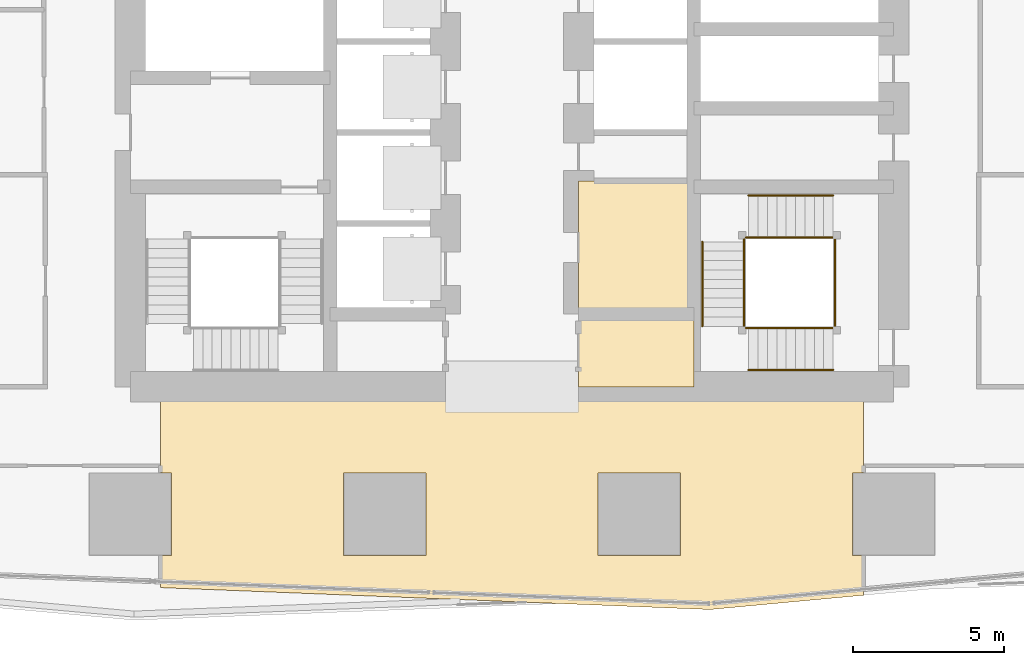
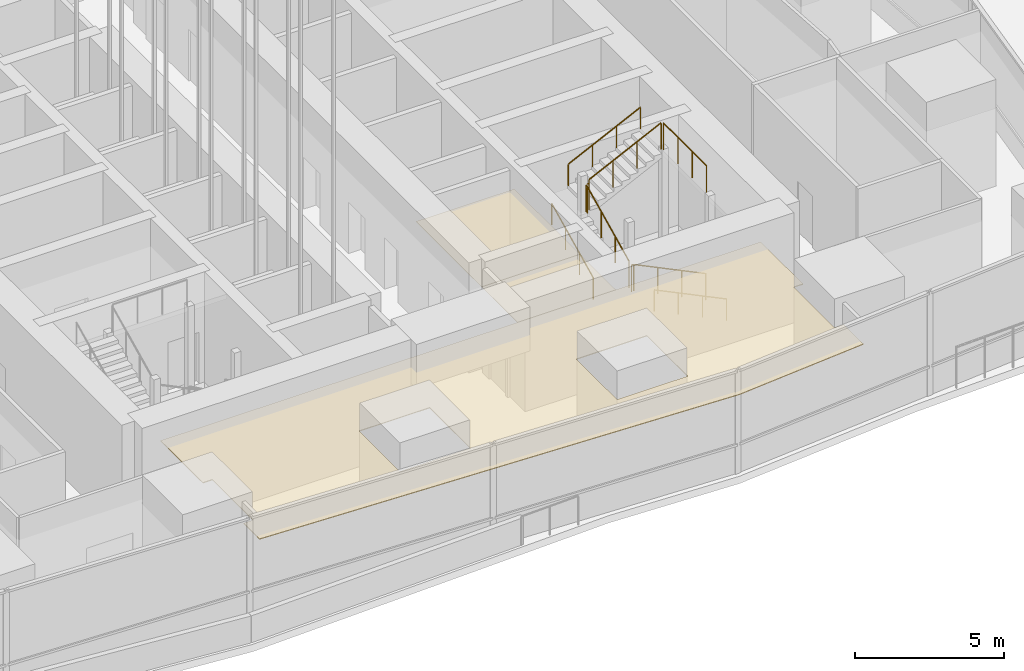
# One storey, part 23 of 39: 10 railings, 3 coverings.
"""IFC4 building model written with IfcOpenShell, lengths in metres."""

import ifcopenshell
import ifcopenshell.guid

model = None  # the IFC model being written
_history = None  # IfcOwnerHistory: only IFC2X3 demands one
_inside = {}  # id of a spatial element -> (the spatial element, [elements in it])
_under = {}  # id of a project, library or spatial element -> (it, [spatial elements below it])
_declared = {}  # id of a project -> (the project, [libraries it declares])
_typed = {}  # id of a type object -> (the type object, [elements of that type])
_made_of = {}  # id of a material, layer set ... -> (it, [elements and type objects made of it])


def new_model(schema):
    """Start an empty IFC model of exactly this schema.

    Asked for "IFC4X3", IfcOpenShell would pick the latest addendum, in which some entities
    have other attributes; the version numbers below select the first issue.
    IFC2X3 requires an IfcOwnerHistory on every rooted entity: one is made here for all.
    """
    global model, _history
    if schema == "IFC4X3":
        model = ifcopenshell.file(schema_version=(4, 3, 0, 0))
    else:
        model = ifcopenshell.file(schema=schema)
    _inside.clear()
    _under.clear()
    _declared.clear()
    _typed.clear()
    _made_of.clear()
    _history = None
    if model.schema == "IFC2X3":
        org = make("IfcOrganization", Name="unknown")
        user = make(
            "IfcPersonAndOrganization",
            ThePerson=make("IfcPerson", FamilyName="unknown"),
            TheOrganization=org,
        )
        app = make(
            "IfcApplication",
            ApplicationDeveloper=org,
            Version="unknown",
            ApplicationFullName="unknown",
            ApplicationIdentifier="unknown",
        )
        _history = make(
            "IfcOwnerHistory",
            OwningUser=user,
            OwningApplication=app,
            ChangeAction="ADDED",
            CreationDate=0,
        )
    return model


def make(cls, **values):
    """One entity of the class cls with the attributes given. An attribute that is None is left unset."""
    return model.create_entity(
        cls, **{name: value for name, value in values.items() if value is not None}
    )


def rooted(cls, **values):
    """An entity with a GlobalId (a new one), such as an element, a storey or a relation."""
    return make(cls, GlobalId=ifcopenshell.guid.new(), OwnerHistory=_history, **values)


def si_unit(unit_type, name, prefix=None):
    """IfcSIUnit, for example si_unit("LENGTHUNIT", "METRE", prefix="MILLI")."""
    return make("IfcSIUnit", UnitType=unit_type, Prefix=prefix, Name=name)


def assignment(units):
    """IfcUnitAssignment: the units of a project."""
    return None if units is None else make("IfcUnitAssignment", Units=units)


def point(xyz):
    """IfcCartesianPoint."""
    return None if xyz is None else make("IfcCartesianPoint", Coordinates=xyz)


def direction(xyz):
    """IfcDirection."""
    return None if xyz is None else make("IfcDirection", DirectionRatios=xyz)


def frame(location, z_axis=None, x_axis=None):
    """IfcAxis2Placement3D, a coordinate frame: its origin and axes. An axis left out is left unset."""
    return make(
        "IfcAxis2Placement3D",
        Location=point(location),
        Axis=direction(z_axis),
        RefDirection=direction(x_axis),
    )


def frame_2d(location, x_axis=None):
    """IfcAxis2Placement2D, a coordinate frame in the plane: its origin and x axis."""
    return make(
        "IfcAxis2Placement2D", Location=point(location), RefDirection=direction(x_axis)
    )


def origin():
    """The frame at (0, 0, 0) with its axes left unset."""
    return frame((0.0, 0.0, 0.0))


def origin_2d():
    """The frame at (0, 0) in the plane with its x axis left unset."""
    return frame_2d((0.0, 0.0))


def place(relative_to, where):
    """IfcLocalPlacement: puts the frame where relative to a parent placement (None: the world)."""
    return make(
        "IfcLocalPlacement", PlacementRelTo=relative_to, RelativePlacement=where
    )


def context(
    kind, dimensions, precision=None, world=None, true_north=None, identifier=None
):
    """IfcGeometricRepresentationContext, for example the 3D "Model" context."""
    return make(
        "IfcGeometricRepresentationContext",
        ContextIdentifier=identifier,
        ContextType=kind,
        CoordinateSpaceDimension=dimensions,
        Precision=precision,
        WorldCoordinateSystem=world,
        TrueNorth=true_north,
    )


def subcontext(parent, identifier, kind, view, scale=None):
    """IfcGeometricRepresentationSubContext, for example "Body" below "Model"."""
    return make(
        "IfcGeometricRepresentationSubContext",
        ContextIdentifier=identifier,
        ContextType=kind,
        ParentContext=parent,
        TargetScale=scale,
        TargetView=view,
    )


def project(units=None, contexts=None):
    """IfcProject with its units and contexts."""
    return rooted(
        "IfcProject",
        Name="project",
        RepresentationContexts=contexts,
        UnitsInContext=assignment(units),
    )


def spatial(cls, under=None, at=None, **own):
    """A site, building, storey or space (cls), placed at a placement, below another one or the project."""
    s = rooted(cls, ObjectPlacement=at, **own)
    if under is not None:
        _under.setdefault(under.id(), (under, []))[1].append(s)
    return s


def polyline(points):
    """IfcPolyline through the points."""
    return make("IfcPolyline", Points=[point(p) for p in points])


def profile(cls, at=None, kind="AREA", **sizes):
    """A parametric profile (cls). Its sizes go by their IFC names, for example OverallWidth=200.0."""
    return make(cls, ProfileType=kind, Position=at, **sizes)


def circle(**sizes):
    """IfcCircleProfileDef."""
    return profile("IfcCircleProfileDef", **sizes)


def outline(outer, holes=None, kind="AREA"):
    """IfcArbitraryClosedProfileDef: a profile drawn as a closed curve; with holes, ...WithVoids."""
    if holes is None:
        return make("IfcArbitraryClosedProfileDef", ProfileType=kind, OuterCurve=outer)
    return make(
        "IfcArbitraryProfileDefWithVoids",
        ProfileType=kind,
        OuterCurve=outer,
        InnerCurves=holes,
    )


def extrude(swept, where, along, depth):
    """IfcExtrudedAreaSolid: the profile swept, set in the frame where, extruded along a direction by depth."""
    return make(
        "IfcExtrudedAreaSolid",
        SweptArea=swept,
        Position=where,
        ExtrudedDirection=direction(along),
        Depth=depth,
    )


def shape(context_of_items, identifier, shape_type, items):
    """IfcShapeRepresentation: the items that make up one representation, for example the "Body"."""
    return make(
        "IfcShapeRepresentation",
        ContextOfItems=context_of_items,
        RepresentationIdentifier=identifier,
        RepresentationType=shape_type,
        Items=items,
    )


def material(Name=None, Category=None):
    """IfcMaterial."""
    return make("IfcMaterial", Name=Name, Category=Category)


def layer(
    of_material, thickness, ventilated=None, Name=None, Category=None, Priority=None
):
    """IfcMaterialLayer: one layer of a wall or slab, of a material (None: an air gap)."""
    return make(
        "IfcMaterialLayer",
        Material=of_material,
        LayerThickness=thickness,
        IsVentilated=ventilated,
        Name=Name,
        Category=Category,
        Priority=Priority,
    )


def layer_set(layers, Name=None):
    """IfcMaterialLayerSet."""
    return make("IfcMaterialLayerSet", MaterialLayers=layers, LayerSetName=Name)


def made_of(thing, what):
    """Note that an element or type object is made of a material, layer set ...; save() writes the relation."""
    if what is not None:
        _made_of.setdefault(what.id(), (what, []))[1].append(thing)
    return thing


def type_object(cls, material=None, **own):
    """A type object (cls), such as IfcWallType, which elements share."""
    return made_of(rooted(cls, **own), material)


def element(
    cls,
    number,
    at=None,
    inside=None,
    cuts=None,
    type_object=None,
    material=None,
    context=None,
    identifier="Body",
    shape_type=None,
    held_by="IfcProductDefinitionShape",
    body=None,
    shapes=None,
    **own,
):
    """One element of the class cls, such as IfcWall. Its Tag is "e" and its number.

    at: its placement. inside: the storey or other place that contains it. cuts: it is an
    opening in that element (IfcRelVoidsElement). A single representation is given by context,
    identifier, shape_type and body (its items); several are given by shapes. held_by: the class
    of the entity that holds the representations. save() writes the other relations.
    """
    e = rooted(cls, Tag="e%d" % number, ObjectPlacement=at, **own)
    if body is not None:
        shapes = [shape(context, identifier, shape_type, body)]
    if shapes is not None:
        e.Representation = make(held_by, Representations=shapes)
    if inside is not None:
        _inside.setdefault(inside.id(), (inside, []))[1].append(e)
    if cuts is not None:
        rooted(
            "IfcRelVoidsElement", RelatingBuildingElement=cuts, RelatedOpeningElement=e
        )
    if type_object is not None:
        _typed.setdefault(type_object.id(), (type_object, []))[1].append(e)
    return made_of(e, material)


def aggregate(whole, parts):
    """IfcRelAggregates: a whole, such as a stair, and the parts it consists of."""
    return rooted("IfcRelAggregates", RelatingObject=whole, RelatedObjects=parts)


def save(model, path):
    """Write the relations noted so far, then the file.

    IfcRelAggregates (storeys below a building ...), IfcRelContainedInSpatialStructure (elements
    in a storey), IfcRelDefinesByType, IfcRelAssociatesMaterial and IfcRelDeclares: one each for
    every whole, place, type object, material and project.
    """
    for whole, parts in _under.values():
        aggregate(whole, parts)
    for where, things in _inside.values():
        rooted(
            "IfcRelContainedInSpatialStructure",
            RelatedElements=things,
            RelatingStructure=where,
        )
    for kind, things in _typed.values():
        rooted("IfcRelDefinesByType", RelatedObjects=things, RelatingType=kind)
    for what, things in _made_of.values():
        rooted("IfcRelAssociatesMaterial", RelatedObjects=things, RelatingMaterial=what)
    for by, libraries in _declared.values():
        rooted("IfcRelDeclares", RelatingContext=by, RelatedDefinitions=libraries)
    model.write(path)


model = new_model("IFC4")

# Units and contexts
model_context = context("Model", 3, precision=1e-05, world=origin(), true_north=direction((0.0, 1.0)))
body_context = subcontext(model_context, "Body", "Model", "MODEL_VIEW")
ifc_project = project(units=[si_unit("LENGTHUNIT", "METRE"), si_unit("AREAUNIT", "SQUARE_METRE"), si_unit("VOLUMEUNIT", "CUBIC_METRE"), si_unit("PLANEANGLEUNIT", "RADIAN"), si_unit("MASSUNIT", "GRAM", prefix="KILO")], contexts=[model_context])

# Site, building, storey
site_placement = place(None, origin())
site = spatial("IfcSite", under=ifc_project, at=site_placement, CompositionType="ELEMENT")
building_placement = place(site_placement, origin())
building = spatial("IfcBuilding", under=site, at=building_placement, Name="Rekha Terrace Tower", CompositionType="ELEMENT")
storey_placement = place(building_placement, frame((0.0, 0.0, 168.199951171875)))
storey = spatial("IfcBuildingStorey", under=building, at=storey_placement, Name="L42", CompositionType="ELEMENT", Elevation=168.199951171875)

# Coverings
ifc_material_1 = material(Name="Fibre cement board", Category="finish")
ifc_layer_1 = layer(ifc_material_1, 0.014892578125)
ifc_layer_set_1 = layer_set([ifc_layer_1], Name="Fibre cement board")
covering_type_1 = type_object("IfcCoveringType", Name="CL2 moisture-resistant board ceiling", PredefinedType="CEILING", material=ifc_layer_set_1)
covering_1_placement = place(storey_placement, frame((0.0, 0.0, 3.3349609375)))
element("IfcCovering", 1, at=covering_1_placement, inside=storey, type_object=covering_type_1, Name="Ceiling L42-WCA", PredefinedType="CEILING", context=body_context, shape_type="SweptSolid", body=[
    extrude(outline(polyline([(43.800048828125, 23.39990234375), (40.0, 23.39990234375), (40.0, 21.0), (43.800048828125, 21.0), (43.800048828125, 23.39990234375)])), origin(), (0.0, 0.0, 1.0), 0.01513671875),
])
covering_2_placement = place(storey_placement, frame((0.0, 0.0, 3.3349609375)))
element("IfcCovering", 2, at=covering_2_placement, inside=storey, type_object=covering_type_1, Name="Ceiling L42-FSE1", PredefinedType="CEILING", context=body_context, shape_type="SweptSolid", body=[
    extrude(outline(polyline([(43.800048828125, 27.800048828125), (40.0, 27.800048828125), (40.0, 23.39990234375), (43.800048828125, 23.39990234375), (43.800048828125, 27.800048828125)])), origin(), (0.0, 0.0, 1.0), 0.01513671875),
])
ifc_material_2 = material(Name="Powder-coated aluminium pan", Category="aluminium")
ifc_layer_2 = layer(ifc_material_2, 0.030029296875)
ifc_layer_set_2 = layer_set([ifc_layer_2], Name="Powder-coated aluminium pan")
covering_type_2 = type_object("IfcCoveringType", Name="CL3 300x1200 metal pan ceiling", PredefinedType="CEILING", material=ifc_layer_set_2)
covering_3_placement = place(storey_placement, frame((0.0, 0.0, 3.320068359375)))
element("IfcCovering", 3, at=covering_3_placement, inside=storey, type_object=covering_type_2, Name="Ceiling L42-02", PredefinedType="CEILING", context=body_context, shape_type="SweptSolid", body=[
    extrude(outline(polyline([(26.56494140625, 15.43505859375), (26.199951171875, 15.43505859375), (26.199951171875, 14.3740234375), (44.340087890625, 13.64990234375), (49.39990234375, 14.12109375), (49.39990234375, 15.43505859375), (49.034912109375, 15.43505859375), (49.034912109375, 18.1650390625), (49.39990234375, 18.1650390625), (49.39990234375, 21.0), (26.199951171875, 21.0), (26.199951171875, 18.1650390625), (26.56494140625, 18.1650390625), (26.56494140625, 15.43505859375)]), holes=[polyline([(43.364990234375, 18.1650390625), (43.364990234375, 15.43505859375), (40.635009765625, 15.43505859375), (40.635009765625, 18.1650390625), (43.364990234375, 18.1650390625)]), polyline([(34.965087890625, 15.43505859375), (32.235107421875, 15.43505859375), (32.235107421875, 18.1650390625), (34.965087890625, 18.1650390625), (34.965087890625, 15.43505859375)])]), origin(), (0.0, 0.0, 1.0), 0.030029296875),
])

# Railings
ifc_material_3 = material(Name="Stainless steel balustrade", Category="steel")
railing_type_1 = type_object("IfcRailingType", Name="GR1 1100 stair guard", PredefinedType="GUARDRAIL", material=ifc_material_3)
railing_1_placement = place(storey_placement, frame((48.39990234375, 22.93994140625, 0.150146484375)))
element("IfcRailing", 4, at=railing_1_placement, inside=storey, type_object=railing_type_1, Name="Guard ST3 L42 flight 1", PredefinedType="GUARDRAIL", context=body_context, shape_type="SweptSolid", body=[
    extrude(circle(Radius=0.02392578125, at=origin_2d()), frame((0.0, 0.0, 1.076171875), z_axis=(-0.900165229219, 0.0, 0.43554857376), x_axis=(0.0, -1.0, 0.0)), (0.0, 0.0, 1.0), 3.09912109375),
    extrude(circle(Radius=0.02099609375, at=origin_2d()), origin(), (0.0, 0.0, 1.0), 1.052001953125),
    extrude(circle(Radius=0.02099609375, at=origin_2d()), frame((-0.929931640625, 0.0, 0.449951171875)), (0.0, 0.0, 1.0), 1.052001953125),
    extrude(circle(Radius=0.02099609375, at=origin_2d()), frame((-1.85986328125, 0.0, 0.89990234375)), (0.0, 0.0, 1.0), 1.052001953125),
    extrude(circle(Radius=0.02099609375, at=origin_2d()), frame((-2.789794921875, 0.0, 1.349853515625)), (0.0, 0.0, 1.0), 1.052001953125),
])
railing_2_placement = place(storey_placement, frame((45.465087890625, 23.0, 1.650146484375)))
element("IfcRailing", 5, at=railing_2_placement, inside=storey, type_object=railing_type_1, Name="Guard ST3 L42 flight 2", PredefinedType="GUARDRAIL", context=body_context, shape_type="SweptSolid", body=[
    extrude(circle(Radius=0.02392578125, at=origin_2d()), frame((0.0, 0.0, 1.076171875), z_axis=(0.0, 0.900180171504, 0.435517690606), x_axis=(-1.0, 0.0, 0.0)), (0.0, 0.0, 1.0), 3.099365234375),
    extrude(circle(Radius=0.02099609375, at=origin_2d()), origin(), (0.0, 0.0, 1.0), 1.052001953125),
    extrude(circle(Radius=0.02099609375, at=origin_2d()), frame((0.0, 0.929931640625, 0.449951171875)), (0.0, 0.0, 1.0), 1.052001953125),
    extrude(circle(Radius=0.02099609375, at=origin_2d()), frame((0.0, 1.860107421875, 0.89990234375)), (0.0, 0.0, 1.0), 1.052001953125),
    extrude(circle(Radius=0.02099609375, at=origin_2d()), frame((0.0, 2.7900390625, 1.349853515625)), (0.0, 0.0, 1.0), 1.052001953125),
])
railing_3_placement = place(storey_placement, frame((45.610107421875, 25.93505859375, 3.150146484375)))
element("IfcRailing", 6, at=railing_3_placement, inside=storey, type_object=railing_type_1, Name="Guard ST3 L42 flight 3", PredefinedType="GUARDRAIL", context=body_context, shape_type="SweptSolid", body=[
    extrude(circle(Radius=0.02392578125, at=origin_2d()), frame((0.0, 0.0, 1.076171875), z_axis=(0.900165229219, 0.0, 0.43554857376), x_axis=(0.0, 1.0, 0.0)), (0.0, 0.0, 1.0), 3.09912109375),
    extrude(circle(Radius=0.02099609375, at=origin_2d()), origin(), (0.0, 0.0, 1.0), 1.052001953125),
    extrude(circle(Radius=0.02099609375, at=origin_2d()), frame((0.929931640625, 0.0, 0.449951171875)), (0.0, 0.0, 1.0), 1.052001953125),
    extrude(circle(Radius=0.02099609375, at=origin_2d()), frame((1.85986328125, 0.0, 0.89990234375)), (0.0, 0.0, 1.0), 1.052001953125),
    extrude(circle(Radius=0.02099609375, at=origin_2d()), frame((2.789794921875, 0.0, 1.349853515625)), (0.0, 0.0, 1.0), 1.052001953125),
])
railing_4_placement = place(storey_placement, frame((45.610107421875, 22.93994140625, 1.5)))
element("IfcRailing", 7, at=railing_4_placement, inside=storey, type_object=railing_type_1, Name="Guard ST3 L42 landing 1", PredefinedType="GUARDRAIL", context=body_context, shape_type="SweptSolid", body=[
    extrude(circle(Radius=0.02392578125, at=origin_2d()), frame((0.0, 0.0, 1.076171875), z_axis=(-1.0, 0.0, 0.0), x_axis=(0.0, -1.0, 0.0)), (0.0, 0.0, 1.0), 0.085205078125),
    extrude(circle(Radius=0.02099609375, at=origin_2d()), origin(), (0.0, 0.0, 1.0), 1.052001953125),
    extrude(circle(Radius=0.02099609375, at=origin_2d()), frame((-0.085205078125, 0.0, 0.0)), (0.0, 0.0, 1.0), 1.052001953125),
])
railing_5_placement = place(storey_placement, frame((45.465087890625, 25.7900390625, 3.0)))
element("IfcRailing", 8, at=railing_5_placement, inside=storey, type_object=railing_type_1, Name="Guard ST3 L42 landing 2", PredefinedType="GUARDRAIL", context=body_context, shape_type="SweptSolid", body=[
    extrude(circle(Radius=0.02392578125, at=origin_2d()), frame((0.0, 0.0, 1.076171875), z_axis=(0.0, 1.0, 0.0), x_axis=(-1.0, 0.0, 0.0)), (0.0, 0.0, 1.0), 0.0849609375),
    extrude(circle(Radius=0.02099609375, at=origin_2d()), origin(), (0.0, 0.0, 1.0), 1.052001953125),
    extrude(circle(Radius=0.02099609375, at=origin_2d()), frame((0.0, 0.0849609375, 0.0)), (0.0, 0.0, 1.0), 1.052001953125),
])
railing_6_placement = place(storey_placement, frame((45.610107421875, 25.93505859375, 3.0)))
element("IfcRailing", 9, at=railing_6_placement, inside=storey, type_object=railing_type_1, Name="Guard ST3 L42 landing 3", PredefinedType="GUARDRAIL", context=body_context, shape_type="SweptSolid", body=[
    extrude(circle(Radius=0.02392578125, at=origin_2d()), frame((0.0, 0.0, 1.076171875), z_axis=(-1.0, 0.0, 0.0), x_axis=(0.0, -1.0, 0.0)), (0.0, 0.0, 1.0), 0.085205078125),
    extrude(circle(Radius=0.02099609375, at=origin_2d()), origin(), (0.0, 0.0, 1.0), 1.052001953125),
    extrude(circle(Radius=0.02099609375, at=origin_2d()), frame((-0.085205078125, 0.0, 0.0)), (0.0, 0.0, 1.0), 1.052001953125),
])
railing_7_placement = place(storey_placement, frame((48.4599609375, 23.0, 4.5)))
element("IfcRailing", 10, at=railing_7_placement, inside=storey, type_object=railing_type_1, Name="Guard ST3 L42 landing 4", PredefinedType="GUARDRAIL", context=body_context, shape_type="SweptSolid", body=[
    extrude(circle(Radius=0.02392578125, at=origin_2d()), frame((0.0, 0.0, 1.076171875), z_axis=(0.0, 1.0, 0.0), x_axis=(-1.0, 0.0, 0.0)), (0.0, 0.0, 1.0), 2.875),
    extrude(circle(Radius=0.02099609375, at=origin_2d()), origin(), (0.0, 0.0, 1.0), 1.052001953125),
    extrude(circle(Radius=0.02099609375, at=origin_2d()), frame((0.0, 0.958251953125, 0.0)), (0.0, 0.0, 1.0), 1.052001953125),
    extrude(circle(Radius=0.02099609375, at=origin_2d()), frame((0.0, 1.916748046875, 0.0)), (0.0, 0.0, 1.0), 1.052001953125),
    extrude(circle(Radius=0.02099609375, at=origin_2d()), frame((0.0, 2.875, 0.0)), (0.0, 0.0, 1.0), 1.052001953125),
])
ifc_material_4 = material(Name="Stainless steel tube", Category="steel")
railing_type_2 = type_object("IfcRailingType", Name="HR1 900 stair handrail", PredefinedType="HANDRAIL", material=ifc_material_4)
railing_8_placement = place(storey_placement, frame((48.39990234375, 21.56005859375, 0.150146484375)))
element("IfcRailing", 11, at=railing_8_placement, inside=storey, type_object=railing_type_2, Name="Handrail ST3 L42 flight 1", PredefinedType="HANDRAIL", context=body_context, shape_type="SweptSolid", body=[
    extrude(circle(Radius=0.02392578125, at=origin_2d()), frame((0.0, 0.0, 0.8759765625), z_axis=(-0.900165229219, 0.0, 0.43554857376), x_axis=(0.0, -1.0, 0.0)), (0.0, 0.0, 1.0), 3.09912109375),
    extrude(circle(Radius=0.02099609375, at=origin_2d()), origin(), (0.0, 0.0, 1.0), 0.851806640625),
    extrude(circle(Radius=0.02099609375, at=origin_2d()), frame((-0.929931640625, 0.0, 0.449951171875)), (0.0, 0.0, 1.0), 0.851806640625),
    extrude(circle(Radius=0.02099609375, at=origin_2d()), frame((-1.85986328125, 0.0, 0.89990234375)), (0.0, 0.0, 1.0), 0.851806640625),
    extrude(circle(Radius=0.02099609375, at=origin_2d()), frame((-2.789794921875, 0.0, 1.349853515625)), (0.0, 0.0, 1.0), 0.851806640625),
])
railing_9_placement = place(storey_placement, frame((44.0849609375, 23.0, 1.650146484375)))
element("IfcRailing", 12, at=railing_9_placement, inside=storey, type_object=railing_type_2, Name="Handrail ST3 L42 flight 2", PredefinedType="HANDRAIL", context=body_context, shape_type="SweptSolid", body=[
    extrude(circle(Radius=0.02392578125, at=origin_2d()), frame((0.0, 0.0, 0.8759765625), z_axis=(0.0, 0.900180171504, 0.435517690606), x_axis=(-1.0, 0.0, 0.0)), (0.0, 0.0, 1.0), 3.099365234375),
    extrude(circle(Radius=0.02099609375, at=origin_2d()), origin(), (0.0, 0.0, 1.0), 0.851806640625),
    extrude(circle(Radius=0.02099609375, at=origin_2d()), frame((0.0, 0.929931640625, 0.449951171875)), (0.0, 0.0, 1.0), 0.851806640625),
    extrude(circle(Radius=0.02099609375, at=origin_2d()), frame((0.0, 1.860107421875, 0.89990234375)), (0.0, 0.0, 1.0), 0.851806640625),
    extrude(circle(Radius=0.02099609375, at=origin_2d()), frame((0.0, 2.7900390625, 1.349853515625)), (0.0, 0.0, 1.0), 0.851806640625),
])
railing_10_placement = place(storey_placement, frame((45.610107421875, 27.31494140625, 3.150146484375)))
element("IfcRailing", 13, at=railing_10_placement, inside=storey, type_object=railing_type_2, Name="Handrail ST3 L42 flight 3", PredefinedType="HANDRAIL", context=body_context, shape_type="SweptSolid", body=[
    extrude(circle(Radius=0.02392578125, at=origin_2d()), frame((0.0, 0.0, 0.8759765625), z_axis=(0.900165229219, 0.0, 0.43554857376), x_axis=(0.0, 1.0, 0.0)), (0.0, 0.0, 1.0), 3.09912109375),
    extrude(circle(Radius=0.02099609375, at=origin_2d()), origin(), (0.0, 0.0, 1.0), 0.851806640625),
    extrude(circle(Radius=0.02099609375, at=origin_2d()), frame((0.929931640625, 0.0, 0.449951171875)), (0.0, 0.0, 1.0), 0.851806640625),
    extrude(circle(Radius=0.02099609375, at=origin_2d()), frame((1.85986328125, 0.0, 0.89990234375)), (0.0, 0.0, 1.0), 0.851806640625),
    extrude(circle(Radius=0.02099609375, at=origin_2d()), frame((2.789794921875, 0.0, 1.349853515625)), (0.0, 0.0, 1.0), 0.851806640625),
])

save(model, "model.ifc")
